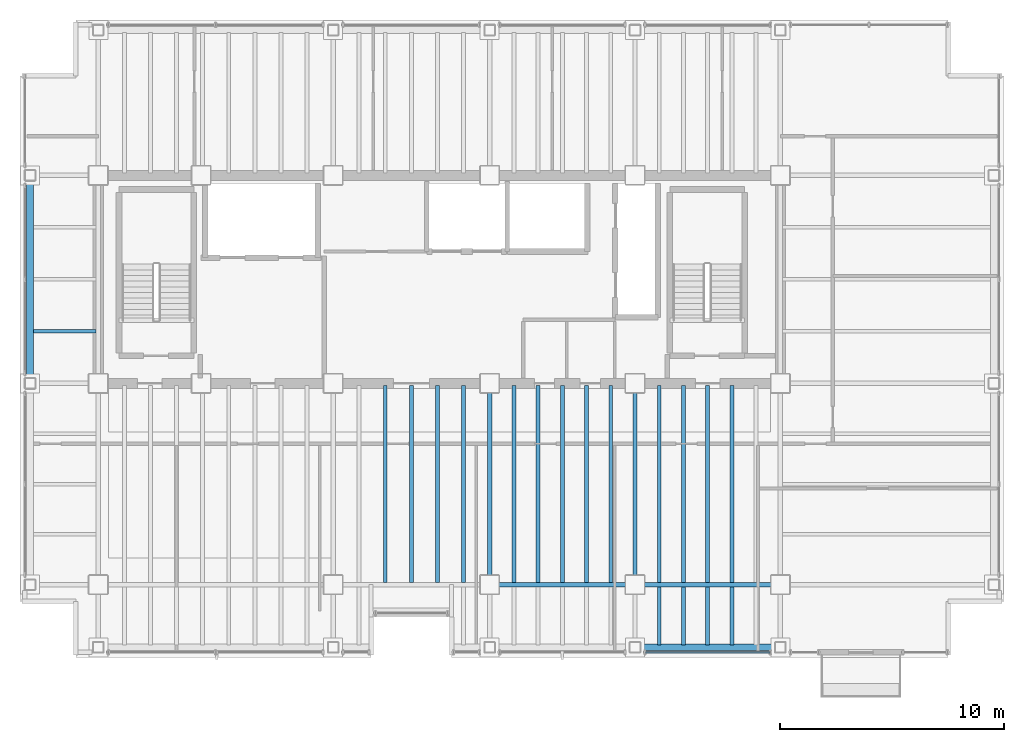
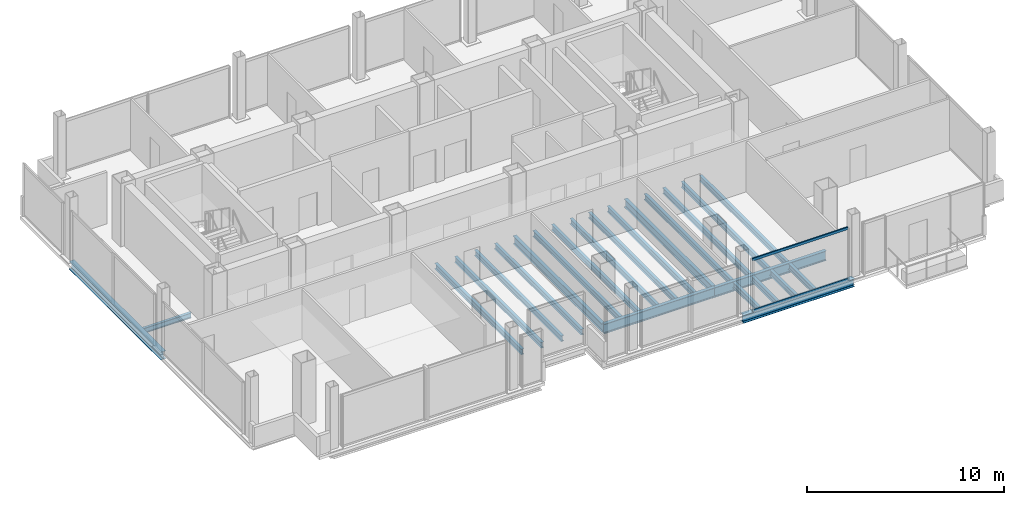
# One storey, part 5 of 16: 24 beams, 2 members, 1 element without a shape of its own.
"""IFC4 building model written with IfcOpenShell, lengths in metres."""

from ifc_helpers import new_model, si_unit, direction, frame, origin, origin_2d, place, context, subcontext, project, spatial, hollow_rectangle, i_section, extrude, material, material_profile, profile_set, type_object, element, aggregate, save


model = new_model("IFC4")

# Units and contexts
model_context = context("Model", 3, precision=1e-05, world=origin(), true_north=direction((0.0, 1.0)))
body_context = subcontext(model_context, "Body", "Model", "MODEL_VIEW")
ifc_project = project(units=[si_unit("LENGTHUNIT", "METRE"), si_unit("AREAUNIT", "SQUARE_METRE"), si_unit("VOLUMEUNIT", "CUBIC_METRE"), si_unit("PLANEANGLEUNIT", "RADIAN"), si_unit("MASSUNIT", "GRAM", prefix="KILO")], contexts=[model_context])

# Site, building, storey
site_placement = place(None, origin())
site = spatial("IfcSite", under=ifc_project, at=site_placement, CompositionType="ELEMENT")
building_placement = place(site_placement, origin())
building = spatial("IfcBuilding", under=site, at=building_placement, Name="Noeulbin Bourse Tower", CompositionType="ELEMENT")
storey_placement = place(building_placement, frame((0.0, 0.0, 181.199951171875)))
storey = spatial("IfcBuildingStorey", under=building, at=storey_placement, Name="L45", CompositionType="ELEMENT", Elevation=181.199951171875)

# Beams
ifc_material_1 = material(Name="Steel S355", Category="steel")
ifc_material_profile_1 = material_profile(ifc_material_1, i_section(OverallWidth=0.199951171875, OverallDepth=0.5, WebThickness=0.010009765625, FlangeThickness=0.01611328125, FilletRadius=0.02001953125, at=origin_2d()), Name="H-500x200x10x16", Category="LoadBearing")
ifc_profile_set_1 = profile_set([ifc_material_profile_1], Name="Steel S355")
beam_type_1 = type_object("IfcBeamType", Name="BM-GRD-500", PredefinedType="USERDEFINED", material=ifc_profile_set_1)
for number, where, z_axis, x_axis, name in (
    (1, (31.0, 20.0, -0.429931640625), (0.0, 1.0, 0.0), (-1.0, 0.0, 0.0), "Tower Primary Girder NS L45-3.2"),
    (2, (37.5, 20.0, -0.429931640625), (0.0, 1.0, 0.0), (-1.0, 0.0, 0.0), "Tower Primary Girder NS L45-4.2"),
):
    element("IfcBeam", number, at=place(storey_placement, frame(where, z_axis=z_axis, x_axis=x_axis)), inside=storey, type_object=beam_type_1, Name=name, ObjectType="GIRDER", PredefinedType="USERDEFINED", context=body_context, shape_type="SweptSolid", body=[
        extrude(i_section(OverallWidth=0.199951171875, OverallDepth=0.5, WebThickness=0.010009765625, FlangeThickness=0.01611328125, FilletRadius=0.02001953125, at=origin_2d()), origin(), (0.0, 0.0, 1.0), 9.0),
    ])
ifc_material_profile_2 = material_profile(ifc_material_1, i_section(OverallWidth=0.199951171875, OverallDepth=0.60009765625, WebThickness=0.010986328125, FlangeThickness=0.01708984375, FilletRadius=0.02197265625, at=origin_2d()), Name="H-600x200x11x17", Category="LoadBearing")
ifc_profile_set_2 = profile_set([ifc_material_profile_2], Name="Steel S355")
beam_type_2 = type_object("IfcBeamType", Name="BM-GRD-600", PredefinedType="USERDEFINED", material=ifc_profile_set_2)
for number, where, z_axis, x_axis, name in (
    (3, (31.0, 20.0, -0.47998046875), (1.0, 0.0, 0.0), (0.0, 1.0, 0.0), "Tower Primary Girder EW L45-1.4"),
    (4, (37.5, 20.0, -0.47998046875), (1.0, 0.0, 0.0), (0.0, 1.0, 0.0), "Tower Primary Girder EW L45-1.5"),
):
    element("IfcBeam", number, at=place(storey_placement, frame(where, z_axis=z_axis, x_axis=x_axis)), inside=storey, type_object=beam_type_2, Name=name, ObjectType="GIRDER", PredefinedType="USERDEFINED", context=body_context, shape_type="SweptSolid", body=[
        extrude(i_section(OverallWidth=0.199951171875, OverallDepth=0.60009765625, WebThickness=0.010986328125, FlangeThickness=0.01708984375, FilletRadius=0.02197265625, at=origin_2d()), origin(), (0.0, 0.0, 1.0), 6.5),
    ])
ifc_material_profile_3 = material_profile(ifc_material_1, i_section(OverallWidth=0.159912109375, OverallDepth=0.320068359375, WebThickness=0.006591796875, FlangeThickness=0.010009765625, FilletRadius=0.012939453125, at=origin_2d()), Name="H-320x160x6.5x10", Category="LoadBearing")
ifc_profile_set_3 = profile_set([ifc_material_profile_3], Name="Steel S355")
beam_type_3 = type_object("IfcBeamType", Name="BM-JST-320", PredefinedType="JOIST", material=ifc_profile_set_3)
beam_1_placement = place(storey_placement, frame((10.60009765625, 31.324951171875, -0.33984375), z_axis=(1.0, 0.0, 0.0), x_axis=(0.0, 1.0, 0.0)))
element("IfcBeam", 5, at=beam_1_placement, inside=storey, type_object=beam_type_3, Name="Wing Composite Joist L45-W70", PredefinedType="JOIST", context=body_context, shape_type="SweptSolid", body=[
    extrude(i_section(OverallWidth=0.159912109375, OverallDepth=0.320068359375, WebThickness=0.006591796875, FlangeThickness=0.010009765625, FilletRadius=0.012939453125, at=origin_2d()), origin(), (0.0, 0.0, 1.0), 2.7998046875),
])
ifc_material_profile_4 = material_profile(ifc_material_1, i_section(OverallWidth=0.175048828125, OverallDepth=0.35009765625, WebThickness=0.007080078125, FlangeThickness=0.010986328125, FilletRadius=0.013916015625, at=origin_2d()), Name="H-350x175x7x11", Category="LoadBearing")
ifc_profile_set_4 = profile_set([ifc_material_profile_4], Name="Steel S355")
beam_type_4 = type_object("IfcBeamType", Name="BM-JST-350", PredefinedType="JOIST", material=ifc_profile_set_4)
for number, where, z_axis, x_axis, name in (
    (6, (26.333251953125, 20.10009765625, -0.35498046875), (0.0, 1.0, 0.0), (-1.0, 0.0, 0.0), "Tower Composite Joist L45-28"),
    (7, (27.5, 20.10009765625, -0.35498046875), (0.0, 1.0, 0.0), (-1.0, 0.0, 0.0), "Tower Composite Joist L45-30"),
    (8, (28.666748046875, 20.10009765625, -0.35498046875), (0.0, 1.0, 0.0), (-1.0, 0.0, 0.0), "Tower Composite Joist L45-32"),
    (9, (29.833251953125, 20.10009765625, -0.35498046875), (0.0, 1.0, 0.0), (-1.0, 0.0, 0.0), "Tower Composite Joist L45-35"),
    (10, (32.083251953125, 20.10009765625, -0.35498046875), (0.0, 1.0, 0.0), (-1.0, 0.0, 0.0), "Tower Composite Joist L45-38"),
    (11, (33.166748046875, 20.10009765625, -0.35498046875), (0.0, 1.0, 0.0), (-1.0, 0.0, 0.0), "Tower Composite Joist L45-41"),
    (12, (34.25, 20.10009765625, -0.35498046875), (0.0, 1.0, 0.0), (-1.0, 0.0, 0.0), "Tower Composite Joist L45-44"),
    (13, (35.333251953125, 20.10009765625, -0.35498046875), (0.0, 1.0, 0.0), (-1.0, 0.0, 0.0), "Tower Composite Joist L45-47"),
    (14, (36.416748046875, 20.10009765625, -0.35498046875), (0.0, 1.0, 0.0), (-1.0, 0.0, 0.0), "Tower Composite Joist L45-50"),
):
    element("IfcBeam", number, at=place(storey_placement, frame(where, z_axis=z_axis, x_axis=x_axis)), inside=storey, type_object=beam_type_4, Name=name, PredefinedType="JOIST", context=body_context, shape_type="SweptSolid", body=[
        extrude(i_section(OverallWidth=0.175048828125, OverallDepth=0.35009765625, WebThickness=0.007080078125, FlangeThickness=0.010986328125, FilletRadius=0.013916015625, at=origin_2d()), origin(), (0.0, 0.0, 1.0), 8.7998046875),
    ])
beam_2_placement = place(storey_placement, frame((38.583251953125, 17.300048828125, -0.35498046875), z_axis=(0.0, 1.0, 0.0), x_axis=(-1.0, 0.0, 0.0)))
element("IfcBeam", 15, at=beam_2_placement, inside=storey, type_object=beam_type_4, Name="Tower Composite Joist L45-52", PredefinedType="JOIST", context=body_context, shape_type="SweptSolid", body=[
    extrude(i_section(OverallWidth=0.175048828125, OverallDepth=0.35009765625, WebThickness=0.007080078125, FlangeThickness=0.010986328125, FilletRadius=0.013916015625, at=origin_2d()), origin(), (0.0, 0.0, 1.0), 2.599853515625),
])
beam_3_placement = place(storey_placement, frame((38.583251953125, 20.10009765625, -0.35498046875), z_axis=(0.0, 1.0, 0.0), x_axis=(-1.0, 0.0, 0.0)))
element("IfcBeam", 16, at=beam_3_placement, inside=storey, type_object=beam_type_4, Name="Tower Composite Joist L45-53", PredefinedType="JOIST", context=body_context, shape_type="SweptSolid", body=[
    extrude(i_section(OverallWidth=0.175048828125, OverallDepth=0.35009765625, WebThickness=0.007080078125, FlangeThickness=0.010986328125, FilletRadius=0.013916015625, at=origin_2d()), origin(), (0.0, 0.0, 1.0), 8.7998046875),
])
beam_4_placement = place(storey_placement, frame((39.666748046875, 17.300048828125, -0.35498046875), z_axis=(0.0, 1.0, 0.0), x_axis=(-1.0, 0.0, 0.0)))
element("IfcBeam", 17, at=beam_4_placement, inside=storey, type_object=beam_type_4, Name="Tower Composite Joist L45-55", PredefinedType="JOIST", context=body_context, shape_type="SweptSolid", body=[
    extrude(i_section(OverallWidth=0.175048828125, OverallDepth=0.35009765625, WebThickness=0.007080078125, FlangeThickness=0.010986328125, FilletRadius=0.013916015625, at=origin_2d()), origin(), (0.0, 0.0, 1.0), 2.599853515625),
])
beam_5_placement = place(storey_placement, frame((39.666748046875, 20.10009765625, -0.35498046875), z_axis=(0.0, 1.0, 0.0), x_axis=(-1.0, 0.0, 0.0)))
element("IfcBeam", 18, at=beam_5_placement, inside=storey, type_object=beam_type_4, Name="Tower Composite Joist L45-56", PredefinedType="JOIST", context=body_context, shape_type="SweptSolid", body=[
    extrude(i_section(OverallWidth=0.175048828125, OverallDepth=0.35009765625, WebThickness=0.007080078125, FlangeThickness=0.010986328125, FilletRadius=0.013916015625, at=origin_2d()), origin(), (0.0, 0.0, 1.0), 8.7998046875),
])
beam_6_placement = place(storey_placement, frame((40.75, 17.300048828125, -0.35498046875), z_axis=(0.0, 1.0, 0.0), x_axis=(-1.0, 0.0, 0.0)))
element("IfcBeam", 19, at=beam_6_placement, inside=storey, type_object=beam_type_4, Name="Tower Composite Joist L45-58", PredefinedType="JOIST", context=body_context, shape_type="SweptSolid", body=[
    extrude(i_section(OverallWidth=0.175048828125, OverallDepth=0.35009765625, WebThickness=0.007080078125, FlangeThickness=0.010986328125, FilletRadius=0.013916015625, at=origin_2d()), origin(), (0.0, 0.0, 1.0), 2.599853515625),
])
beam_7_placement = place(storey_placement, frame((40.75, 20.10009765625, -0.35498046875), z_axis=(0.0, 1.0, 0.0), x_axis=(-1.0, 0.0, 0.0)))
element("IfcBeam", 20, at=beam_7_placement, inside=storey, type_object=beam_type_4, Name="Tower Composite Joist L45-59", PredefinedType="JOIST", context=body_context, shape_type="SweptSolid", body=[
    extrude(i_section(OverallWidth=0.175048828125, OverallDepth=0.35009765625, WebThickness=0.007080078125, FlangeThickness=0.010986328125, FilletRadius=0.013916015625, at=origin_2d()), origin(), (0.0, 0.0, 1.0), 8.7998046875),
])
beam_8_placement = place(storey_placement, frame((41.833251953125, 17.300048828125, -0.35498046875), z_axis=(0.0, 1.0, 0.0), x_axis=(-1.0, 0.0, 0.0)))
element("IfcBeam", 21, at=beam_8_placement, inside=storey, type_object=beam_type_4, Name="Tower Composite Joist L45-61", PredefinedType="JOIST", context=body_context, shape_type="SweptSolid", body=[
    extrude(i_section(OverallWidth=0.175048828125, OverallDepth=0.35009765625, WebThickness=0.007080078125, FlangeThickness=0.010986328125, FilletRadius=0.013916015625, at=origin_2d()), origin(), (0.0, 0.0, 1.0), 2.599853515625),
])
beam_9_placement = place(storey_placement, frame((41.833251953125, 20.10009765625, -0.35498046875), z_axis=(0.0, 1.0, 0.0), x_axis=(-1.0, 0.0, 0.0)))
element("IfcBeam", 22, at=beam_9_placement, inside=storey, type_object=beam_type_4, Name="Tower Composite Joist L45-62", PredefinedType="JOIST", context=body_context, shape_type="SweptSolid", body=[
    extrude(i_section(OverallWidth=0.175048828125, OverallDepth=0.35009765625, WebThickness=0.007080078125, FlangeThickness=0.010986328125, FilletRadius=0.013916015625, at=origin_2d()), origin(), (0.0, 0.0, 1.0), 8.7998046875),
])
ifc_material_profile_5 = material_profile(ifc_material_1, i_section(OverallWidth=0.300048828125, OverallDepth=0.488037109375, WebThickness=0.010986328125, FlangeThickness=0.01806640625, FilletRadius=0.02197265625, at=origin_2d()), Name="H-488x300x11x18", Category="LoadBearing")
ifc_profile_set_5 = profile_set([ifc_material_profile_5], Name="Steel S355")
beam_type_5 = type_object("IfcBeamType", Name="BM-SPN-488", PredefinedType="SPANDREL", material=ifc_profile_set_5)
beam_10_placement = place(storey_placement, frame((37.5, 17.199951171875, -0.424072265625), z_axis=(1.0, 0.0, 0.0), x_axis=(0.0, 1.0, 0.0)))
element("IfcBeam", 23, at=beam_10_placement, inside=storey, type_object=beam_type_5, Name="South Spandrel L45-4", PredefinedType="SPANDREL", context=body_context, shape_type="SweptSolid", body=[
    extrude(i_section(OverallWidth=0.300048828125, OverallDepth=0.488037109375, WebThickness=0.010986328125, FlangeThickness=0.01806640625, FilletRadius=0.02197265625, at=origin_2d()), origin(), (0.0, 0.0, 1.0), 6.5),
])
beam_11_placement = place(storey_placement, frame((10.449951171875, 29.0, -0.424072265625), z_axis=(0.0, 1.0, 0.0), x_axis=(-1.0, 0.0, 0.0)))
element("IfcBeam", 24, at=beam_11_placement, inside=storey, type_object=beam_type_5, Name="West Spandrel L45-2", PredefinedType="SPANDREL", context=body_context, shape_type="SweptSolid", body=[
    extrude(i_section(OverallWidth=0.300048828125, OverallDepth=0.488037109375, WebThickness=0.010986328125, FlangeThickness=0.01806640625, FilletRadius=0.02197265625, at=origin_2d()), origin(), (0.0, 0.0, 1.0), 9.300048828125),
])

# Curtain wall, members
ifc_material_2 = material(Name="Dark Tinted Triple Glazing", Category="glass")
curtain_wall_type = type_object("IfcCurtainWallType", Name="CW-SYS-3", PredefinedType="NOTDEFINED", material=ifc_material_2)
curtain_wall_placement = place(storey_placement, origin())
curtain_wall = element("IfcCurtainWall", 25, at=curtain_wall_placement, inside=storey, type_object=curtain_wall_type, Name="Unitised Curtain Wall CW-L45-S2-S3", PredefinedType="NOTDEFINED")
ifc_material_3 = material(Name="Anodised Aluminium 6063-T6", Category="aluminium")
ifc_material_profile_6 = material_profile(ifc_material_3, hollow_rectangle(XDim=0.074951171875, YDim=0.159912109375, WallThickness=0.0048828125, InnerFilletRadius=0.00244140625, OuterFilletRadius=0.0048828125, at=origin_2d()), Name="ALU-TRAN-75x160x5", Category="LoadBearing")
ifc_profile_set_6 = profile_set([ifc_material_profile_6], Name="Anodised Aluminium 6063-T6")
member_type = type_object("IfcMemberType", Name="CW-SYS-3-TRN", PredefinedType="USERDEFINED", material=ifc_profile_set_6)
member_1_placement = place(storey_placement, frame((37.9599609375, 16.969970703125, 0.010009765625), z_axis=(1.0, 0.0, 0.0), x_axis=(0.0, 1.0, 0.0)))
member_1 = element("IfcMember", 26, at=member_1_placement, type_object=member_type, Name="Curtain Wall Transom CW-L45-S2-S3-T00", ObjectType="TRANSOM", PredefinedType="USERDEFINED", context=body_context, shape_type="SweptSolid", body=[
    extrude(hollow_rectangle(XDim=0.074951171875, YDim=0.159912109375, WallThickness=0.0048828125, InnerFilletRadius=0.00244140625, OuterFilletRadius=0.0048828125, at=origin_2d()), origin(), (0.0, 0.0, 1.0), 5.580078125),
])
member_2_placement = place(storey_placement, frame((37.9599609375, 16.969970703125, 3.170166015625), z_axis=(1.0, 0.0, 0.0), x_axis=(0.0, 1.0, 0.0)))
member_2 = element("IfcMember", 27, at=member_2_placement, type_object=member_type, Name="Curtain Wall Transom CW-L45-S2-S3-T01", ObjectType="TRANSOM", PredefinedType="USERDEFINED", context=body_context, shape_type="SweptSolid", body=[
    extrude(hollow_rectangle(XDim=0.074951171875, YDim=0.159912109375, WallThickness=0.0048828125, InnerFilletRadius=0.00244140625, OuterFilletRadius=0.0048828125, at=origin_2d()), origin(), (0.0, 0.0, 1.0), 5.580078125),
])
aggregate(curtain_wall, [member_1, member_2])

save(model, "model.ifc")
